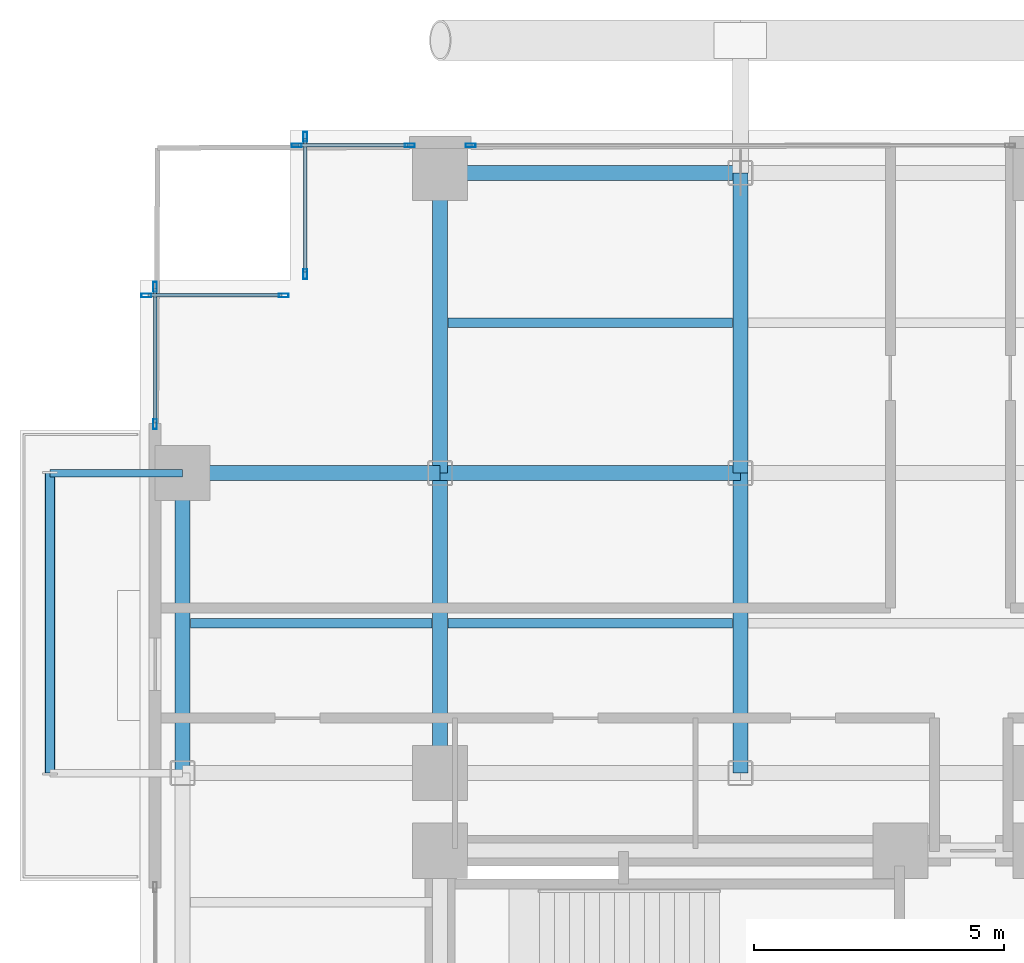
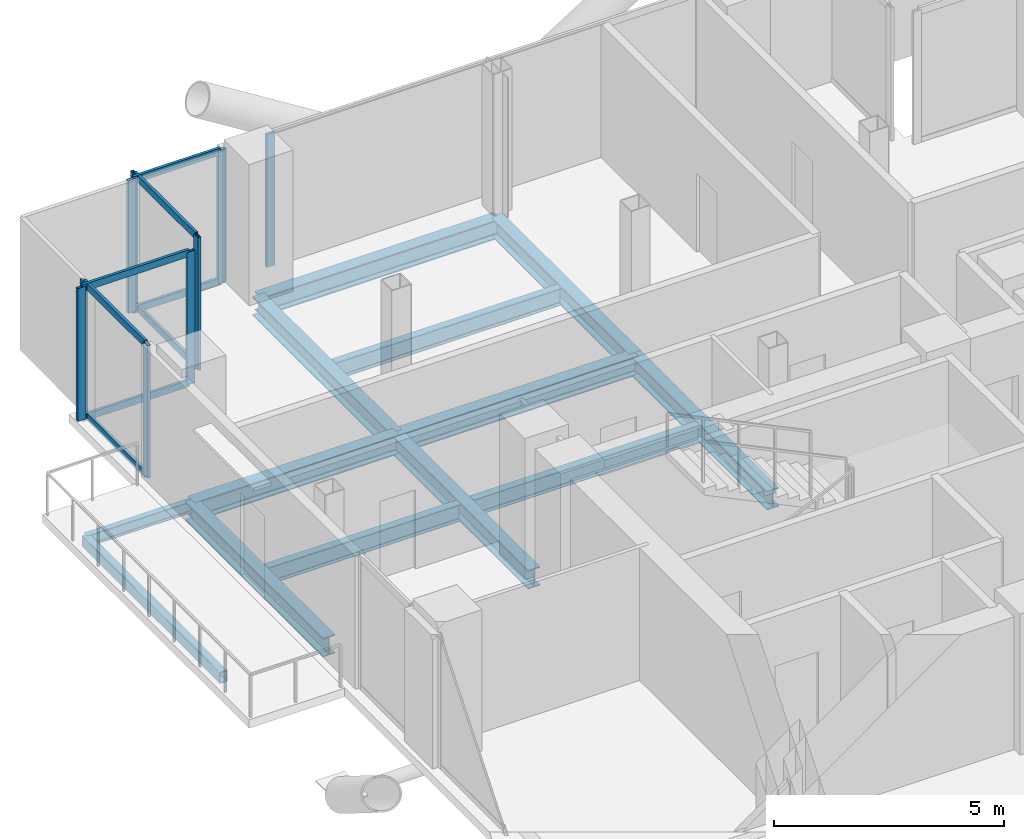
# One storey, part 15 of 28: 17 members, 13 beams, 5 elements without a shape of their own.
"""IFC4 building model written with IfcOpenShell, lengths in metres."""

import ifcopenshell
import ifcopenshell.guid

model = None  # the IFC model being written
_history = None  # IfcOwnerHistory: only IFC2X3 demands one
_inside = {}  # id of a spatial element -> (the spatial element, [elements in it])
_under = {}  # id of a project, library or spatial element -> (it, [spatial elements below it])
_declared = {}  # id of a project -> (the project, [libraries it declares])
_typed = {}  # id of a type object -> (the type object, [elements of that type])
_made_of = {}  # id of a material, layer set ... -> (it, [elements and type objects made of it])


def new_model(schema):
    """Start an empty IFC model of exactly this schema.

    Asked for "IFC4X3", IfcOpenShell would pick the latest addendum, in which some entities
    have other attributes; the version numbers below select the first issue.
    IFC2X3 requires an IfcOwnerHistory on every rooted entity: one is made here for all.
    """
    global model, _history
    if schema == "IFC4X3":
        model = ifcopenshell.file(schema_version=(4, 3, 0, 0))
    else:
        model = ifcopenshell.file(schema=schema)
    _inside.clear()
    _under.clear()
    _declared.clear()
    _typed.clear()
    _made_of.clear()
    _history = None
    if model.schema == "IFC2X3":
        org = make("IfcOrganization", Name="unknown")
        user = make(
            "IfcPersonAndOrganization",
            ThePerson=make("IfcPerson", FamilyName="unknown"),
            TheOrganization=org,
        )
        app = make(
            "IfcApplication",
            ApplicationDeveloper=org,
            Version="unknown",
            ApplicationFullName="unknown",
            ApplicationIdentifier="unknown",
        )
        _history = make(
            "IfcOwnerHistory",
            OwningUser=user,
            OwningApplication=app,
            ChangeAction="ADDED",
            CreationDate=0,
        )
    return model


def make(cls, **values):
    """One entity of the class cls with the attributes given. An attribute that is None is left unset."""
    return model.create_entity(
        cls, **{name: value for name, value in values.items() if value is not None}
    )


def rooted(cls, **values):
    """An entity with a GlobalId (a new one), such as an element, a storey or a relation."""
    return make(cls, GlobalId=ifcopenshell.guid.new(), OwnerHistory=_history, **values)


def si_unit(unit_type, name, prefix=None):
    """IfcSIUnit, for example si_unit("LENGTHUNIT", "METRE", prefix="MILLI")."""
    return make("IfcSIUnit", UnitType=unit_type, Prefix=prefix, Name=name)


def assignment(units):
    """IfcUnitAssignment: the units of a project."""
    return None if units is None else make("IfcUnitAssignment", Units=units)


def point(xyz):
    """IfcCartesianPoint."""
    return None if xyz is None else make("IfcCartesianPoint", Coordinates=xyz)


def direction(xyz):
    """IfcDirection."""
    return None if xyz is None else make("IfcDirection", DirectionRatios=xyz)


def frame(location, z_axis=None, x_axis=None):
    """IfcAxis2Placement3D, a coordinate frame: its origin and axes. An axis left out is left unset."""
    return make(
        "IfcAxis2Placement3D",
        Location=point(location),
        Axis=direction(z_axis),
        RefDirection=direction(x_axis),
    )


def frame_2d(location, x_axis=None):
    """IfcAxis2Placement2D, a coordinate frame in the plane: its origin and x axis."""
    return make(
        "IfcAxis2Placement2D", Location=point(location), RefDirection=direction(x_axis)
    )


def origin():
    """The frame at (0, 0, 0) with its axes left unset."""
    return frame((0.0, 0.0, 0.0))


def origin_2d():
    """The frame at (0, 0) in the plane with its x axis left unset."""
    return frame_2d((0.0, 0.0))


def place(relative_to, where):
    """IfcLocalPlacement: puts the frame where relative to a parent placement (None: the world)."""
    return make(
        "IfcLocalPlacement", PlacementRelTo=relative_to, RelativePlacement=where
    )


def context(
    kind, dimensions, precision=None, world=None, true_north=None, identifier=None
):
    """IfcGeometricRepresentationContext, for example the 3D "Model" context."""
    return make(
        "IfcGeometricRepresentationContext",
        ContextIdentifier=identifier,
        ContextType=kind,
        CoordinateSpaceDimension=dimensions,
        Precision=precision,
        WorldCoordinateSystem=world,
        TrueNorth=true_north,
    )


def subcontext(parent, identifier, kind, view, scale=None):
    """IfcGeometricRepresentationSubContext, for example "Body" below "Model"."""
    return make(
        "IfcGeometricRepresentationSubContext",
        ContextIdentifier=identifier,
        ContextType=kind,
        ParentContext=parent,
        TargetScale=scale,
        TargetView=view,
    )


def project(units=None, contexts=None):
    """IfcProject with its units and contexts."""
    return rooted(
        "IfcProject",
        Name="project",
        RepresentationContexts=contexts,
        UnitsInContext=assignment(units),
    )


def spatial(cls, under=None, at=None, **own):
    """A site, building, storey or space (cls), placed at a placement, below another one or the project."""
    s = rooted(cls, ObjectPlacement=at, **own)
    if under is not None:
        _under.setdefault(under.id(), (under, []))[1].append(s)
    return s


def profile(cls, at=None, kind="AREA", **sizes):
    """A parametric profile (cls). Its sizes go by their IFC names, for example OverallWidth=200.0."""
    return make(cls, ProfileType=kind, Position=at, **sizes)


def hollow_rectangle(**sizes):
    """IfcRectangleHollowProfileDef."""
    return profile("IfcRectangleHollowProfileDef", **sizes)


def i_section(**sizes):
    """IfcIShapeProfileDef."""
    return profile("IfcIShapeProfileDef", **sizes)


def extrude(swept, where, along, depth):
    """IfcExtrudedAreaSolid: the profile swept, set in the frame where, extruded along a direction by depth."""
    return make(
        "IfcExtrudedAreaSolid",
        SweptArea=swept,
        Position=where,
        ExtrudedDirection=direction(along),
        Depth=depth,
    )


def shape(context_of_items, identifier, shape_type, items):
    """IfcShapeRepresentation: the items that make up one representation, for example the "Body"."""
    return make(
        "IfcShapeRepresentation",
        ContextOfItems=context_of_items,
        RepresentationIdentifier=identifier,
        RepresentationType=shape_type,
        Items=items,
    )


def material(Name=None, Category=None):
    """IfcMaterial."""
    return make("IfcMaterial", Name=Name, Category=Category)


def layer(
    of_material, thickness, ventilated=None, Name=None, Category=None, Priority=None
):
    """IfcMaterialLayer: one layer of a wall or slab, of a material (None: an air gap)."""
    return make(
        "IfcMaterialLayer",
        Material=of_material,
        LayerThickness=thickness,
        IsVentilated=ventilated,
        Name=Name,
        Category=Category,
        Priority=Priority,
    )


def layer_set(layers, Name=None):
    """IfcMaterialLayerSet."""
    return make("IfcMaterialLayerSet", MaterialLayers=layers, LayerSetName=Name)


def material_profile(
    of_material, cross_section, Name=None, Category=None, Priority=None
):
    """IfcMaterialProfile: a cross section and its material."""
    return make(
        "IfcMaterialProfile",
        Name=Name,
        Material=of_material,
        Profile=cross_section,
        Priority=Priority,
        Category=Category,
    )


def profile_set(profiles, Name=None, composite=None):
    """IfcMaterialProfileSet."""
    return make(
        "IfcMaterialProfileSet",
        Name=Name,
        MaterialProfiles=profiles,
        CompositeProfile=composite,
    )


def made_of(thing, what):
    """Note that an element or type object is made of a material, layer set ...; save() writes the relation."""
    if what is not None:
        _made_of.setdefault(what.id(), (what, []))[1].append(thing)
    return thing


def type_object(cls, material=None, **own):
    """A type object (cls), such as IfcWallType, which elements share."""
    return made_of(rooted(cls, **own), material)


def element(
    cls,
    number,
    at=None,
    inside=None,
    cuts=None,
    type_object=None,
    material=None,
    context=None,
    identifier="Body",
    shape_type=None,
    held_by="IfcProductDefinitionShape",
    body=None,
    shapes=None,
    **own,
):
    """One element of the class cls, such as IfcWall. Its Tag is "e" and its number.

    at: its placement. inside: the storey or other place that contains it. cuts: it is an
    opening in that element (IfcRelVoidsElement). A single representation is given by context,
    identifier, shape_type and body (its items); several are given by shapes. held_by: the class
    of the entity that holds the representations. save() writes the other relations.
    """
    e = rooted(cls, Tag="e%d" % number, ObjectPlacement=at, **own)
    if body is not None:
        shapes = [shape(context, identifier, shape_type, body)]
    if shapes is not None:
        e.Representation = make(held_by, Representations=shapes)
    if inside is not None:
        _inside.setdefault(inside.id(), (inside, []))[1].append(e)
    if cuts is not None:
        rooted(
            "IfcRelVoidsElement", RelatingBuildingElement=cuts, RelatedOpeningElement=e
        )
    if type_object is not None:
        _typed.setdefault(type_object.id(), (type_object, []))[1].append(e)
    return made_of(e, material)


def aggregate(whole, parts):
    """IfcRelAggregates: a whole, such as a stair, and the parts it consists of."""
    return rooted("IfcRelAggregates", RelatingObject=whole, RelatedObjects=parts)


def save(model, path):
    """Write the relations noted so far, then the file.

    IfcRelAggregates (storeys below a building ...), IfcRelContainedInSpatialStructure (elements
    in a storey), IfcRelDefinesByType, IfcRelAssociatesMaterial and IfcRelDeclares: one each for
    every whole, place, type object, material and project.
    """
    for whole, parts in _under.values():
        aggregate(whole, parts)
    for where, things in _inside.values():
        rooted(
            "IfcRelContainedInSpatialStructure",
            RelatedElements=things,
            RelatingStructure=where,
        )
    for kind, things in _typed.values():
        rooted("IfcRelDefinesByType", RelatedObjects=things, RelatingType=kind)
    for what, things in _made_of.values():
        rooted("IfcRelAssociatesMaterial", RelatedObjects=things, RelatingMaterial=what)
    for by, libraries in _declared.values():
        rooted("IfcRelDeclares", RelatingContext=by, RelatedDefinitions=libraries)
    model.write(path)


model = new_model("IFC4")

# Units and contexts
model_context = context("Model", 3, precision=1e-05, world=origin(), true_north=direction((0.0, 1.0)))
body_context = subcontext(model_context, "Body", "Model", "MODEL_VIEW")
ifc_project = project(units=[si_unit("LENGTHUNIT", "METRE"), si_unit("AREAUNIT", "SQUARE_METRE"), si_unit("VOLUMEUNIT", "CUBIC_METRE"), si_unit("PLANEANGLEUNIT", "RADIAN"), si_unit("MASSUNIT", "GRAM", prefix="KILO"), si_unit("THERMODYNAMICTEMPERATUREUNIT", "KELVIN"), si_unit("POWERUNIT", "WATT")], contexts=[model_context])

# Site, building, storey
site_placement = place(None, origin())
site = spatial("IfcSite", under=ifc_project, at=site_placement, CompositionType="ELEMENT")
building_placement = place(site_placement, origin())
building = spatial("IfcBuilding", under=site, at=building_placement, Name="Svarakhadi Broadcast Tower", CompositionType="ELEMENT")
storey_placement = place(building_placement, frame((0.0, 0.0, 138.14990234375)))
storey = spatial("IfcBuildingStorey", under=building, at=storey_placement, Name="L33", CompositionType="ELEMENT", Elevation=138.14990234375)

# Beams
ifc_material_1 = material(Name="Steel S355J2 (IS 2062 E350C)", Category="steel")
ifc_material_profile_1 = material_profile(ifc_material_1, i_section(OverallWidth=0.18994140625, OverallDepth=0.449951171875, WebThickness=0.009521484375, FlangeThickness=0.0146484375, FilletRadius=0.02099609375, at=origin_2d()), Name="NPB 450x190x78")
ifc_profile_set_1 = profile_set([ifc_material_profile_1], Name="Steel S355J2 (IS 2062 E350C)")
beam_type_1 = type_object("IfcBeamType", Name="Beam_NPB450", PredefinedType="BEAM", material=ifc_profile_set_1)
beam_1_placement = place(storey_placement, frame((1.010009765625, 32.14990234375, -0.449951171875), z_axis=(1.0, 0.0, 0.0), x_axis=(0.0, 1.0, 0.0)))
element("IfcBeam", 1, at=beam_1_placement, inside=storey, type_object=beam_type_1, Name="L33 Secondary Composite Beam SB005", PredefinedType="BEAM", context=body_context, shape_type="SweptSolid", body=[
    extrude(i_section(OverallWidth=0.18994140625, OverallDepth=0.449951171875, WebThickness=0.009521484375, FlangeThickness=0.0146484375, FilletRadius=0.02099609375, at=origin_2d()), origin(), (0.0, 0.0, 1.0), 4.830078125),
])
for number, where, z_axis, x_axis, name in (
    (2, (6.159912109375, 32.14990234375, -0.449951171875), (1.0, 0.0, 0.0), (0.0, 1.0, 0.0), "L33 Secondary Composite Beam SB009"),
    (3, (6.159912109375, 38.14990234375, -0.449951171875), (1.0, 0.0, 0.0), (0.0, 1.0, 0.0), "L33 Secondary Composite Beam SB010"),
):
    element("IfcBeam", number, at=place(storey_placement, frame(where, z_axis=z_axis, x_axis=x_axis)), inside=storey, type_object=beam_type_1, Name=name, PredefinedType="BEAM", context=body_context, shape_type="SweptSolid", body=[
        extrude(i_section(OverallWidth=0.18994140625, OverallDepth=0.449951171875, WebThickness=0.009521484375, FlangeThickness=0.0146484375, FilletRadius=0.02099609375, at=origin_2d()), origin(), (0.0, 0.0, 1.0), 5.68017578125),
    ])

# Curtain wall, members
ifc_material_2 = material(Name="Anodised Bronze Aluminium AA 6063-T6", Category="aluminium")
ifc_layer = layer(ifc_material_2, 0.199951171875)
ifc_layer_set = layer_set([ifc_layer], Name="Anodised Bronze Aluminium AA 6063-T6")
curtain_wall_type = type_object("IfcCurtainWallType", Name="CW_Sys_03", PredefinedType="NOTDEFINED", material=ifc_layer_set)
curtain_wall_1_placement = place(storey_placement, origin())
curtain_wall_1 = element("IfcCurtainWall", 4, at=curtain_wall_1_placement, inside=storey, type_object=curtain_wall_type, Name="L33 West Curtain Wall 03", PredefinedType="NOTDEFINED")
ifc_material_profile_2 = material_profile(ifc_material_2, hollow_rectangle(XDim=0.074951171875, YDim=0.199951171875, WallThickness=0.005615234375, at=origin_2d()), Name="ALU MULLION 200x75x6")
ifc_profile_set_2 = profile_set([ifc_material_profile_2], Name="Anodised Bronze Aluminium AA 6063-T6")
member_type_1 = type_object("IfcMemberType", Name="CW_Sys_03_Mul", PredefinedType="MULLION", material=ifc_profile_set_2)
member_1_placement = place(storey_placement, frame((0.300048828125, 36.12744140625, 0.0), z_axis=(0.0, 0.0, 1.0), x_axis=(-1.0, 0.0, 0.0)))
member_1 = element("IfcMember", 5, at=member_1_placement, type_object=member_type_1, Name="CW-03 mullion 1", PredefinedType="MULLION", context=body_context, shape_type="SweptSolid", body=[
    extrude(hollow_rectangle(XDim=0.074951171875, YDim=0.199951171875, WallThickness=0.005615234375, at=origin_2d()), origin(), (0.0, 0.0, 1.0), 3.525146484375),
])
member_2_placement = place(storey_placement, frame((0.300048828125, 38.87255859375, 0.0), z_axis=(0.0, 0.0, 1.0), x_axis=(-1.0, 0.0, 0.0)))
member_2 = element("IfcMember", 6, at=member_2_placement, type_object=member_type_1, Name="CW-03 mullion 2", PredefinedType="MULLION", context=body_context, shape_type="SweptSolid", body=[
    extrude(hollow_rectangle(XDim=0.074951171875, YDim=0.199951171875, WallThickness=0.005615234375, at=origin_2d()), origin(), (0.0, 0.0, 1.0), 3.525146484375),
])

curtain_wall_2_placement = place(storey_placement, origin())
curtain_wall_2 = element("IfcCurtainWall", 7, at=curtain_wall_2_placement, inside=storey, type_object=curtain_wall_type, Name="L33 Unitised Facade Curtain Wall 04", PredefinedType="NOTDEFINED")
member_3_placement = place(storey_placement, frame((0.12744140625, 38.699951171875, 0.0), z_axis=(0.0, 0.0, 1.0), x_axis=(0.0, 1.0, 0.0)))
member_3 = element("IfcMember", 8, at=member_3_placement, type_object=member_type_1, Name="CW-03 mullion 1", PredefinedType="MULLION", context=body_context, shape_type="SweptSolid", body=[
    extrude(hollow_rectangle(XDim=0.074951171875, YDim=0.199951171875, WallThickness=0.005615234375, at=origin_2d()), origin(), (0.0, 0.0, 1.0), 3.525146484375),
])
member_4_placement = place(storey_placement, frame((2.87255859375, 38.699951171875, 0.0), z_axis=(0.0, 0.0, 1.0), x_axis=(0.0, 1.0, 0.0)))
member_4 = element("IfcMember", 9, at=member_4_placement, type_object=member_type_1, Name="CW-03 mullion 2", PredefinedType="MULLION", context=body_context, shape_type="SweptSolid", body=[
    extrude(hollow_rectangle(XDim=0.074951171875, YDim=0.199951171875, WallThickness=0.005615234375, at=origin_2d()), origin(), (0.0, 0.0, 1.0), 3.525146484375),
])

curtain_wall_3_placement = place(storey_placement, origin())
curtain_wall_3 = element("IfcCurtainWall", 10, at=curtain_wall_3_placement, inside=storey, type_object=curtain_wall_type, Name="L33 Unitised Facade Curtain Wall 05", PredefinedType="NOTDEFINED")
member_5_placement = place(storey_placement, frame((3.300048828125, 39.12744140625, 0.0), z_axis=(0.0, 0.0, 1.0), x_axis=(-1.0, 0.0, 0.0)))
member_5 = element("IfcMember", 11, at=member_5_placement, type_object=member_type_1, Name="CW-03 mullion 1", PredefinedType="MULLION", context=body_context, shape_type="SweptSolid", body=[
    extrude(hollow_rectangle(XDim=0.074951171875, YDim=0.199951171875, WallThickness=0.005615234375, at=origin_2d()), origin(), (0.0, 0.0, 1.0), 3.525146484375),
])
member_6_placement = place(storey_placement, frame((3.300048828125, 41.87255859375, 0.0), z_axis=(0.0, 0.0, 1.0), x_axis=(-1.0, 0.0, 0.0)))
member_6 = element("IfcMember", 12, at=member_6_placement, type_object=member_type_1, Name="CW-03 mullion 2", PredefinedType="MULLION", context=body_context, shape_type="SweptSolid", body=[
    extrude(hollow_rectangle(XDim=0.074951171875, YDim=0.199951171875, WallThickness=0.005615234375, at=origin_2d()), origin(), (0.0, 0.0, 1.0), 3.525146484375),
])

curtain_wall_4_placement = place(storey_placement, origin())
curtain_wall_4 = element("IfcCurtainWall", 13, at=curtain_wall_4_placement, inside=storey, type_object=curtain_wall_type, Name="L33 Unitised Facade Curtain Wall 06 Bay 1", PredefinedType="NOTDEFINED")
member_7_placement = place(storey_placement, frame((3.12744140625, 41.699951171875, 0.0), z_axis=(0.0, 0.0, 1.0), x_axis=(0.0, 1.0, 0.0)))
member_7 = element("IfcMember", 14, at=member_7_placement, type_object=member_type_1, Name="CW-03 mullion 1", PredefinedType="MULLION", context=body_context, shape_type="SweptSolid", body=[
    extrude(hollow_rectangle(XDim=0.074951171875, YDim=0.199951171875, WallThickness=0.005615234375, at=origin_2d()), origin(), (0.0, 0.0, 1.0), 3.525146484375),
])
member_8_placement = place(storey_placement, frame((5.392578125, 41.699951171875, 0.0), z_axis=(0.0, 0.0, 1.0), x_axis=(0.0, 1.0, 0.0)))
member_8 = element("IfcMember", 15, at=member_8_placement, type_object=member_type_1, Name="CW-03 mullion 2", PredefinedType="MULLION", context=body_context, shape_type="SweptSolid", body=[
    extrude(hollow_rectangle(XDim=0.074951171875, YDim=0.199951171875, WallThickness=0.005615234375, at=origin_2d()), origin(), (0.0, 0.0, 1.0), 3.525146484375),
])

# Curtain wall, member
curtain_wall_5_placement = place(storey_placement, origin())
curtain_wall_5 = element("IfcCurtainWall", 16, at=curtain_wall_5_placement, inside=storey, type_object=curtain_wall_type, Name="L33 Unitised Facade Curtain Wall 06 Bay 2", PredefinedType="NOTDEFINED")
member_9_placement = place(storey_placement, frame((6.607421875, 41.699951171875, 0.0), z_axis=(0.0, 0.0, 1.0), x_axis=(0.0, 1.0, 0.0)))
member_9 = element("IfcMember", 17, at=member_9_placement, type_object=member_type_1, Name="CW-03 mullion 1", PredefinedType="MULLION", context=body_context, shape_type="SweptSolid", body=[
    extrude(hollow_rectangle(XDim=0.074951171875, YDim=0.199951171875, WallThickness=0.005615234375, at=origin_2d()), origin(), (0.0, 0.0, 1.0), 3.525146484375),
])
aggregate(curtain_wall_5, [member_9])

# Member
ifc_material_profile_3 = material_profile(ifc_material_2, hollow_rectangle(XDim=0.070068359375, YDim=0.18505859375, WallThickness=0.0048828125, at=origin_2d()), Name="ALU TRANSOM 185x70x5")
ifc_profile_set_3 = profile_set([ifc_material_profile_3], Name="Anodised Bronze Aluminium AA 6063-T6")
member_type_2 = type_object("IfcMemberType", Name="CW_Sys_03_Trn", PredefinedType="USERDEFINED", material=ifc_profile_set_3)
member_10_placement = place(storey_placement, frame((0.300048828125, 36.1650390625, 0.03515625), z_axis=(0.0, 1.0, 0.0), x_axis=(-1.0, 0.0, 0.0)))
member_10 = element("IfcMember", 18, at=member_10_placement, type_object=member_type_2, Name="CW-03 transom 1.1", ObjectType="TRANSOM", PredefinedType="USERDEFINED", context=body_context, shape_type="SweptSolid", body=[
    extrude(hollow_rectangle(XDim=0.070068359375, YDim=0.18505859375, WallThickness=0.0048828125, at=origin_2d()), origin(), (0.0, 0.0, 1.0), 2.669921875),
])

member_11_placement = place(storey_placement, frame((0.300048828125, 36.1650390625, 3.489990234375), z_axis=(0.0, 1.0, 0.0), x_axis=(-1.0, 0.0, 0.0)))
member_11 = element("IfcMember", 19, at=member_11_placement, type_object=member_type_2, Name="CW-03 transom 1.2", ObjectType="TRANSOM", PredefinedType="USERDEFINED", context=body_context, shape_type="SweptSolid", body=[
    extrude(hollow_rectangle(XDim=0.070068359375, YDim=0.18505859375, WallThickness=0.0048828125, at=origin_2d()), origin(), (0.0, 0.0, 1.0), 2.669921875),
])

aggregate(curtain_wall_1, [member_1, member_2, member_10, member_11])

member_12_placement = place(storey_placement, frame((0.1650390625, 38.699951171875, 0.03515625), z_axis=(1.0, 0.0, 0.0), x_axis=(0.0, 1.0, 0.0)))
member_12 = element("IfcMember", 20, at=member_12_placement, type_object=member_type_2, Name="CW-03 transom 1.1", ObjectType="TRANSOM", PredefinedType="USERDEFINED", context=body_context, shape_type="SweptSolid", body=[
    extrude(hollow_rectangle(XDim=0.070068359375, YDim=0.18505859375, WallThickness=0.0048828125, at=origin_2d()), origin(), (0.0, 0.0, 1.0), 2.669921875),
])

member_13_placement = place(storey_placement, frame((0.1650390625, 38.699951171875, 3.489990234375), z_axis=(1.0, 0.0, 0.0), x_axis=(0.0, 1.0, 0.0)))
member_13 = element("IfcMember", 21, at=member_13_placement, type_object=member_type_2, Name="CW-03 transom 1.2", ObjectType="TRANSOM", PredefinedType="USERDEFINED", context=body_context, shape_type="SweptSolid", body=[
    extrude(hollow_rectangle(XDim=0.070068359375, YDim=0.18505859375, WallThickness=0.0048828125, at=origin_2d()), origin(), (0.0, 0.0, 1.0), 2.669921875),
])

aggregate(curtain_wall_2, [member_3, member_4, member_12, member_13])

member_14_placement = place(storey_placement, frame((3.300048828125, 39.1650390625, 0.03515625), z_axis=(0.0, 1.0, 0.0), x_axis=(-1.0, 0.0, 0.0)))
member_14 = element("IfcMember", 22, at=member_14_placement, type_object=member_type_2, Name="CW-03 transom 1.1", ObjectType="TRANSOM", PredefinedType="USERDEFINED", context=body_context, shape_type="SweptSolid", body=[
    extrude(hollow_rectangle(XDim=0.070068359375, YDim=0.18505859375, WallThickness=0.0048828125, at=origin_2d()), origin(), (0.0, 0.0, 1.0), 2.669921875),
])

member_15_placement = place(storey_placement, frame((3.300048828125, 39.1650390625, 3.489990234375), z_axis=(0.0, 1.0, 0.0), x_axis=(-1.0, 0.0, 0.0)))
member_15 = element("IfcMember", 23, at=member_15_placement, type_object=member_type_2, Name="CW-03 transom 1.2", ObjectType="TRANSOM", PredefinedType="USERDEFINED", context=body_context, shape_type="SweptSolid", body=[
    extrude(hollow_rectangle(XDim=0.070068359375, YDim=0.18505859375, WallThickness=0.0048828125, at=origin_2d()), origin(), (0.0, 0.0, 1.0), 2.669921875),
])

aggregate(curtain_wall_3, [member_5, member_6, member_14, member_15])

member_16_placement = place(storey_placement, frame((3.1650390625, 41.699951171875, 0.03515625), z_axis=(1.0, 0.0, 0.0), x_axis=(0.0, 1.0, 0.0)))
member_16 = element("IfcMember", 24, at=member_16_placement, type_object=member_type_2, Name="CW-03 transom 1.1", ObjectType="TRANSOM", PredefinedType="USERDEFINED", context=body_context, shape_type="SweptSolid", body=[
    extrude(hollow_rectangle(XDim=0.070068359375, YDim=0.18505859375, WallThickness=0.0048828125, at=origin_2d()), origin(), (0.0, 0.0, 1.0), 2.18994140625),
])

member_17_placement = place(storey_placement, frame((3.1650390625, 41.699951171875, 3.489990234375), z_axis=(1.0, 0.0, 0.0), x_axis=(0.0, 1.0, 0.0)))
member_17 = element("IfcMember", 25, at=member_17_placement, type_object=member_type_2, Name="CW-03 transom 1.2", ObjectType="TRANSOM", PredefinedType="USERDEFINED", context=body_context, shape_type="SweptSolid", body=[
    extrude(hollow_rectangle(XDim=0.070068359375, YDim=0.18505859375, WallThickness=0.0048828125, at=origin_2d()), origin(), (0.0, 0.0, 1.0), 2.18994140625),
])

aggregate(curtain_wall_4, [member_7, member_8, member_16, member_17])

# Beams
ifc_material_profile_4 = material_profile(ifc_material_1, i_section(OverallWidth=0.300048828125, OverallDepth=0.5, WebThickness=0.014404296875, FlangeThickness=0.028076171875, FilletRadius=0.027099609375, at=origin_2d()), Name="WPB 500x300x187")
ifc_profile_set_4 = profile_set([ifc_material_profile_4], Name="Steel S355J2 (IS 2062 E350C)")
beam_type_2 = type_object("IfcBeamType", Name="Girder_WPB500", PredefinedType="USERDEFINED", material=ifc_profile_set_4)
beam_2_placement = place(storey_placement, frame((0.85009765625, 35.14990234375, -0.474853515625), z_axis=(1.0, 0.0, 0.0), x_axis=(0.0, 1.0, 0.0)))
element("IfcBeam", 26, at=beam_2_placement, inside=storey, type_object=beam_type_2, Name="L33 Primary E-W Girder G035", ObjectType="GIRDER", PredefinedType="USERDEFINED", context=body_context, shape_type="SweptSolid", body=[
    extrude(i_section(OverallWidth=0.300048828125, OverallDepth=0.5, WebThickness=0.014404296875, FlangeThickness=0.028076171875, FilletRadius=0.027099609375, at=origin_2d()), origin(), (0.0, 0.0, 1.0), 5.14990234375),
])
for number, where, z_axis, x_axis, name in (
    (27, (6.0, 35.14990234375, -0.474853515625), (1.0, 0.0, 0.0), (0.0, 1.0, 0.0), "L33 Primary E-W Girder G036"),
    (28, (6.0, 41.14990234375, -0.474853515625), (1.0, 0.0, 0.0), (0.0, 1.0, 0.0), "L33 Primary E-W Girder G038"),
    (29, (0.85009765625, 29.14990234375, -0.474853515625), (0.0, 1.0, 0.0), (-1.0, 0.0, 0.0), "L33 Primary N-S Girder G044"),
    (30, (6.0, 29.14990234375, -0.474853515625), (0.0, 1.0, 0.0), (-1.0, 0.0, 0.0), "L33 Primary N-S Girder G049"),
    (31, (6.0, 35.14990234375, -0.474853515625), (0.0, 1.0, 0.0), (-1.0, 0.0, 0.0), "L33 Primary N-S Girder G050"),
    (32, (12.0, 29.14990234375, -0.474853515625), (0.0, 1.0, 0.0), (-1.0, 0.0, 0.0), "L33 Primary N-S Girder G054"),
    (33, (12.0, 35.14990234375, -0.474853515625), (0.0, 1.0, 0.0), (-1.0, 0.0, 0.0), "L33 Primary N-S Girder G055"),
):
    element("IfcBeam", number, at=place(storey_placement, frame(where, z_axis=z_axis, x_axis=x_axis)), inside=storey, type_object=beam_type_2, Name=name, ObjectType="GIRDER", PredefinedType="USERDEFINED", context=body_context, shape_type="SweptSolid", body=[
        extrude(i_section(OverallWidth=0.300048828125, OverallDepth=0.5, WebThickness=0.014404296875, FlangeThickness=0.028076171875, FilletRadius=0.027099609375, at=origin_2d()), origin(), (0.0, 0.0, 1.0), 6.0),
    ])
ifc_material_profile_5 = material_profile(ifc_material_1, i_section(OverallWidth=0.14990234375, OverallDepth=0.300048828125, WebThickness=0.007080078125, FlangeThickness=0.0107421875, FilletRadius=0.014892578125, at=origin_2d()), Name="NPB 300x150x37")
ifc_profile_set_5 = profile_set([ifc_material_profile_5], Name="Steel S355J2 (IS 2062 E350C)")
beam_type_3 = type_object("IfcBeamType", Name="Spandrel_NPB300", PredefinedType="SPANDREL", material=ifc_profile_set_5)
beam_3_placement = place(storey_placement, frame((0.85009765625, 35.14990234375, -0.375), z_axis=(-1.0, 0.0, 0.0), x_axis=(0.0, -1.0, 0.0)))
element("IfcBeam", 34, at=beam_3_placement, inside=storey, type_object=beam_type_3, Name="L33 Balcony Cantilever Bracket 2B", PredefinedType="SPANDREL", context=body_context, shape_type="SweptSolid", body=[
    extrude(i_section(OverallWidth=0.14990234375, OverallDepth=0.300048828125, WebThickness=0.007080078125, FlangeThickness=0.0107421875, FilletRadius=0.014892578125, at=origin_2d()), origin(), (0.0, 0.0, 1.0), 2.650146484375),
])
ifc_material_3 = material(Name="Steel S460ML (IS 2062 E450BR)", Category="steel")
ifc_material_profile_6 = material_profile(ifc_material_3, hollow_rectangle(XDim=0.199951171875, YDim=0.300048828125, WallThickness=0.012451171875, InnerFilletRadius=0.012451171875, OuterFilletRadius=0.02490234375, at=origin_2d()), Name="RHS 300x200x12.5")
ifc_profile_set_6 = profile_set([ifc_material_profile_6], Name="Steel S460ML (IS 2062 E450BR)")
beam_type_4 = type_object("IfcBeamType", Name="Spandrel_RHS300", PredefinedType="SPANDREL", material=ifc_profile_set_6)
beam_4_placement = place(storey_placement, frame((-1.800048828125, 29.14990234375, -0.375), z_axis=(0.0, 1.0, 0.0), x_axis=(-1.0, 0.0, 0.0)))
element("IfcBeam", 35, at=beam_4_placement, inside=storey, type_object=beam_type_4, Name="L33 Balcony Outer Spandrel 2F", PredefinedType="SPANDREL", context=body_context, shape_type="SweptSolid", body=[
    extrude(hollow_rectangle(XDim=0.199951171875, YDim=0.300048828125, WallThickness=0.012451171875, InnerFilletRadius=0.012451171875, OuterFilletRadius=0.02490234375, at=origin_2d()), origin(), (0.0, 0.0, 1.0), 6.0),
])

save(model, "model.ifc")
